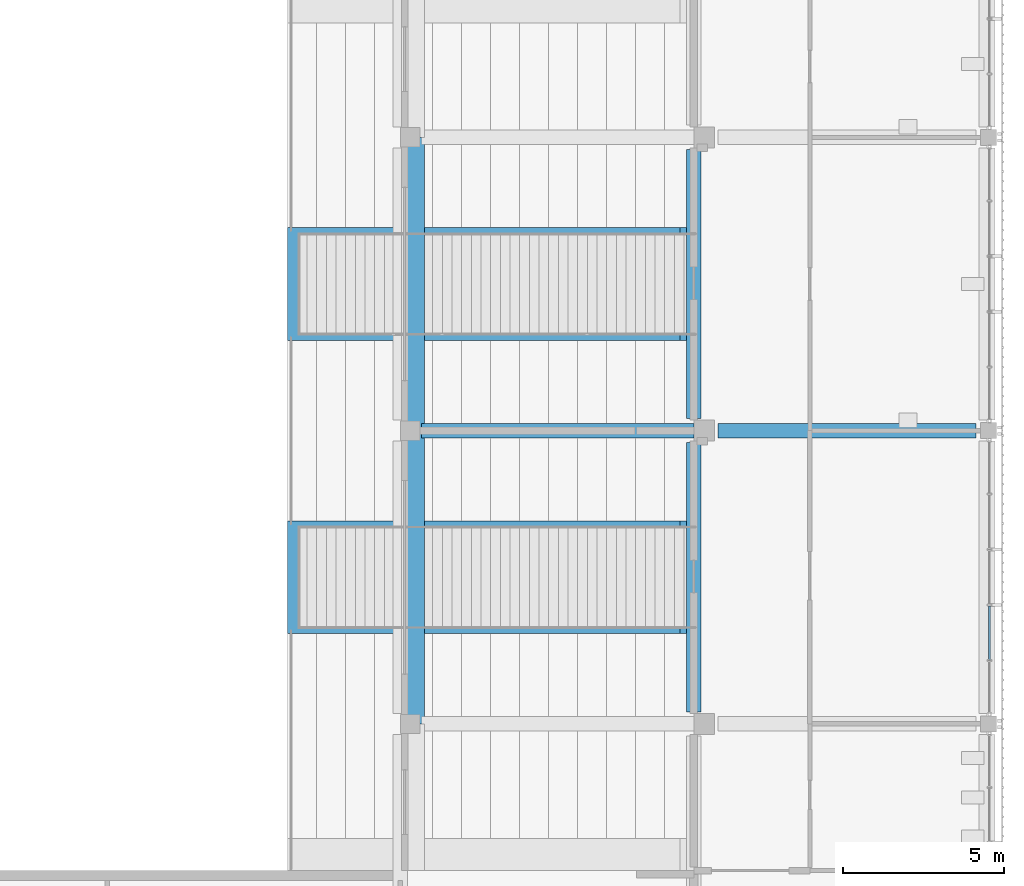
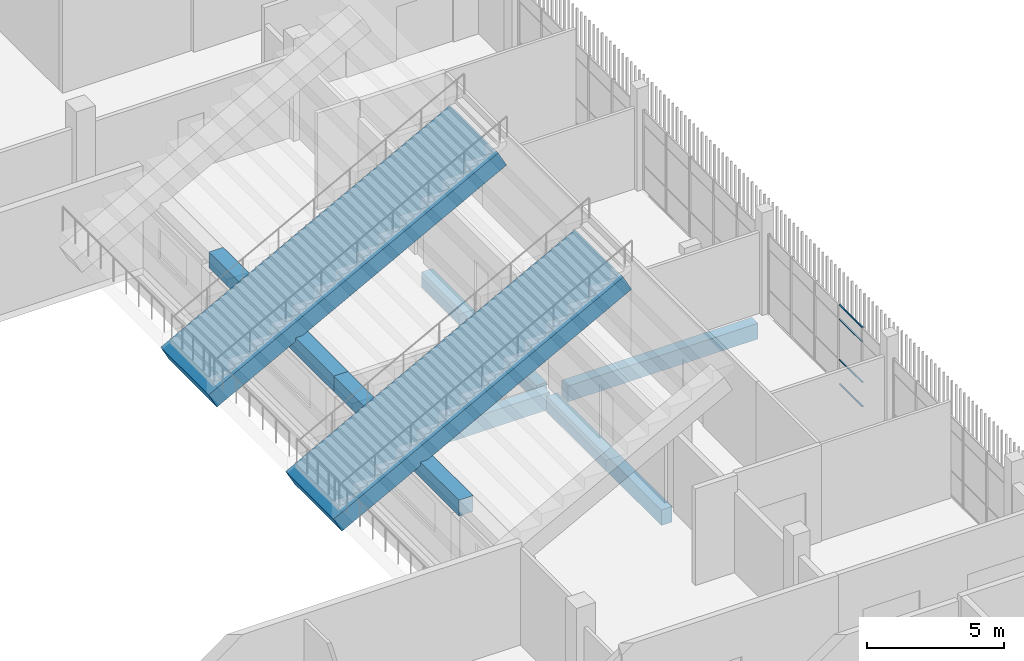
# One storey, part 57 of 139: 8 beams, 4 members, 1 element without a shape of its own.
"""IFC4 building model written with IfcOpenShell, lengths in metres."""

from ifc_helpers import new_model, si_unit, direction, frame, origin, origin_2d, place, context, subcontext, project, spatial, rectangle, hollow_rectangle, extrude, material, layer, layer_set, material_profile, profile_set, type_object, element, aggregate, save


model = new_model("IFC4")

# Units and contexts
model_context = context("Model", 3, precision=1e-05, world=origin(), true_north=direction((0.0, 1.0)))
body_context = subcontext(model_context, "Body", "Model", "MODEL_VIEW")
ifc_project = project(units=[si_unit("LENGTHUNIT", "METRE"), si_unit("AREAUNIT", "SQUARE_METRE"), si_unit("VOLUMEUNIT", "CUBIC_METRE"), si_unit("PLANEANGLEUNIT", "RADIAN"), si_unit("MASSUNIT", "GRAM", prefix="KILO")], contexts=[model_context])

# Site, building, storey
site_placement = place(None, origin())
site = spatial("IfcSite", under=ifc_project, at=site_placement, CompositionType="ELEMENT")
building_placement = place(site_placement, origin())
building = spatial("IfcBuilding", under=site, at=building_placement, Name="Shirokan Park Arena", CompositionType="ELEMENT")
storey_placement = place(building_placement, frame((0.0, 0.0, 15.469970703125)))
storey = spatial("IfcBuildingStorey", under=building, at=storey_placement, Name="L03", CompositionType="ELEMENT", Elevation=15.469970703125)

# Beams
ifc_material_1 = material(Name="Concrete C35", Category="concrete")
ifc_material_profile_1 = material_profile(ifc_material_1, rectangle(XDim=0.449951171875, YDim=0.699951171875, at=origin_2d()), Name="450x700")
ifc_profile_set_1 = profile_set([ifc_material_profile_1], Name="Concrete C35")
beam_type_1 = type_object("IfcBeamType", Name="RC girder 450x700", PredefinedType="BEAM", material=ifc_profile_set_1)
beam_1_placement = place(storey_placement, frame((137.25, 54.60009765625, -0.64990234375), z_axis=(1.0, 0.0, 0.0), x_axis=(0.0, 1.0, 0.0)))
element("IfcBeam", 1, at=beam_1_placement, inside=storey, type_object=beam_type_1, Name="Girder 16G-17G L03", PredefinedType="BEAM", context=body_context, shape_type="SweptSolid", body=[
    extrude(rectangle(XDim=0.449951171875, YDim=0.699951171875, at=origin_2d()), origin(), (0.0, 0.0, 1.0), 8.0),
])
for number, where, z_axis, x_axis, name in (
    (2, (136.5, 45.875, -0.64990234375), (0.0, 1.0, 0.0), (-1.0, 0.0, 0.0), "Girder 16F-16G L03"),
    (3, (136.5, 54.97509765625, -0.64990234375), (0.0, 1.0, 0.0), (-1.0, 0.0, 0.0), "Girder 16G-16H L03"),
):
    element("IfcBeam", number, at=place(storey_placement, frame(where, z_axis=z_axis, x_axis=x_axis)), inside=storey, type_object=beam_type_1, Name=name, PredefinedType="BEAM", context=body_context, shape_type="SweptSolid", body=[
        extrude(rectangle(XDim=0.449951171875, YDim=0.699951171875, at=origin_2d()), origin(), (0.0, 0.0, 1.0), 8.349853515625),
    ])
ifc_material_profile_2 = material_profile(ifc_material_1, rectangle(XDim=0.449951171875, YDim=0.75, at=origin_2d()), Name="450x750")
ifc_profile_set_2 = profile_set([ifc_material_profile_2], Name="Concrete C35")
beam_type_2 = type_object("IfcBeamType", Name="RC girder 450x750", PredefinedType="BEAM", material=ifc_profile_set_2)
beam_2_placement = place(storey_placement, frame((128.050048828125, 54.60009765625, -0.675048828125), z_axis=(1.0, 0.0, 0.0), x_axis=(0.0, 1.0, 0.0)))
element("IfcBeam", 4, at=beam_2_placement, inside=storey, type_object=beam_type_2, Name="Girder 15G-16G L03", PredefinedType="BEAM", context=body_context, shape_type="SweptSolid", body=[
    extrude(rectangle(XDim=0.449951171875, YDim=0.75, at=origin_2d()), origin(), (0.0, 0.0, 1.0), 8.449951171875),
])
ifc_material_profile_3 = material_profile(ifc_material_1, rectangle(XDim=3.5, YDim=0.75, at=origin_2d()), Name="3500x750")
ifc_profile_set_3 = profile_set([ifc_material_profile_3], Name="Concrete C35")
beam_type_3 = type_object("IfcBeamType", Name="RC raker 3500x750", PredefinedType="USERDEFINED", material=ifc_profile_set_3)
for number, where, z_axis, x_axis, name in (
    (5, (124.076416015625, 50.050048828125, 1.822509765625), (0.882357349738, 0.0, 0.470579969147), (0.0, 1.0, 0.0), "Raker upper E 1"),
    (6, (124.076416015625, 59.14990234375, 1.822509765625), (0.882357349738, 0.0, 0.470579969147), (0.0, 1.0, 0.0), "Raker upper E 2"),
):
    element("IfcBeam", number, at=place(storey_placement, frame(where, z_axis=z_axis, x_axis=x_axis)), inside=storey, type_object=beam_type_3, Name=name, ObjectType="RAKER BEAM", PredefinedType="USERDEFINED", context=body_context, shape_type="SweptSolid", body=[
        extrude(rectangle(XDim=3.5, YDim=0.75, at=origin_2d()), origin(), (0.0, 0.0, 1.0), 13.796630859375),
    ])
ifc_material_profile_4 = material_profile(ifc_material_1, rectangle(XDim=0.60009765625, YDim=0.699951171875, at=origin_2d()), Name="600x700")
ifc_profile_set_4 = profile_set([ifc_material_profile_4], Name="Concrete C35")
beam_type_4 = type_object("IfcBeamType", Name="RC stand girder 600x700", PredefinedType="BEAM", material=ifc_profile_set_4)
beam_3_placement = place(storey_placement, frame((127.85009765625, 45.5, 3.06005859375), z_axis=(0.0, 1.0, 0.0), x_axis=(-1.0, 0.0, 0.0)))
element("IfcBeam", 7, at=beam_3_placement, inside=storey, type_object=beam_type_4, Name="Stand girder E R3 2", PredefinedType="BEAM", context=body_context, shape_type="SweptSolid", body=[
    extrude(rectangle(XDim=0.60009765625, YDim=0.699951171875, at=origin_2d()), origin(), (0.0, 0.0, 1.0), 9.10009765625),
])
beam_4_placement = place(storey_placement, frame((127.85009765625, 54.60009765625, 3.06005859375), z_axis=(0.0, 1.0, 0.0), x_axis=(-1.0, 0.0, 0.0)))
element("IfcBeam", 8, at=beam_4_placement, inside=storey, type_object=beam_type_4, Name="Stand girder E R3 3", PredefinedType="BEAM", context=body_context, shape_type="SweptSolid", body=[
    extrude(rectangle(XDim=0.60009765625, YDim=0.699951171875, at=origin_2d()), origin(), (0.0, 0.0, 1.0), 9.099853515625),
])

# Curtain wall, members
ifc_material_2 = material(Name="Steel and glass curtain wall", Category="steel")
ifc_layer = layer(ifc_material_2, 0.14990234375)
ifc_layer_set = layer_set([ifc_layer], Name="Steel and glass curtain wall 150 mm")
curtain_wall_type = type_object("IfcCurtainWallType", Name="Curtain wall exposed bay 150", PredefinedType="NOTDEFINED", material=ifc_layer_set)
curtain_wall_placement = place(storey_placement, origin())
curtain_wall = element("IfcCurtainWall", 9, at=curtain_wall_placement, inside=storey, type_object=curtain_wall_type, Name="Curtain wall east bay 6 L03", PredefinedType="NOTDEFINED")
ifc_material_3 = material(Name="Steel S355", Category="steel")
ifc_material_profile_5 = material_profile(ifc_material_3, hollow_rectangle(XDim=0.06005859375, YDim=0.0400390625, WallThickness=0.00390625, at=origin_2d()), Name="RHS 60x40x4")
ifc_profile_set_5 = profile_set([ifc_material_profile_5], Name="Steel S355")
member_type = type_object("IfcMemberType", Name="Transom RHS 60x40x4", PredefinedType="MULLION", material=ifc_profile_set_5)
member_1_placement = place(storey_placement, frame((145.675048828125, 47.4951171875, 0.02001953125), z_axis=(0.0, 1.0, 0.0), x_axis=(-1.0, 0.0, 0.0)))
member_1 = element("IfcMember", 10, at=member_1_placement, type_object=member_type, Name="CW1 transom 2.1", PredefinedType="MULLION", context=body_context, shape_type="SweptSolid", body=[
    extrude(hollow_rectangle(XDim=0.06005859375, YDim=0.0400390625, WallThickness=0.00390625, at=origin_2d()), origin(), (0.0, 0.0, 1.0), 1.669921875),
])
member_2_placement = place(storey_placement, frame((145.675048828125, 47.4951171875, 1.10009765625), z_axis=(0.0, 1.0, 0.0), x_axis=(-1.0, 0.0, 0.0)))
member_2 = element("IfcMember", 11, at=member_2_placement, type_object=member_type, Name="CW1 transom 2.2", PredefinedType="MULLION", context=body_context, shape_type="SweptSolid", body=[
    extrude(hollow_rectangle(XDim=0.06005859375, YDim=0.0400390625, WallThickness=0.00390625, at=origin_2d()), origin(), (0.0, 0.0, 1.0), 1.669921875),
])
member_3_placement = place(storey_placement, frame((145.675048828125, 47.4951171875, 2.900146484375), z_axis=(0.0, 1.0, 0.0), x_axis=(-1.0, 0.0, 0.0)))
member_3 = element("IfcMember", 12, at=member_3_placement, type_object=member_type, Name="CW1 transom 2.3", PredefinedType="MULLION", context=body_context, shape_type="SweptSolid", body=[
    extrude(hollow_rectangle(XDim=0.06005859375, YDim=0.0400390625, WallThickness=0.00390625, at=origin_2d()), origin(), (0.0, 0.0, 1.0), 1.669921875),
])
member_4_placement = place(storey_placement, frame((145.675048828125, 47.4951171875, 3.530029296875), z_axis=(0.0, 1.0, 0.0), x_axis=(-1.0, 0.0, 0.0)))
member_4 = element("IfcMember", 13, at=member_4_placement, type_object=member_type, Name="CW1 transom 2.4", PredefinedType="MULLION", context=body_context, shape_type="SweptSolid", body=[
    extrude(hollow_rectangle(XDim=0.06005859375, YDim=0.0400390625, WallThickness=0.00390625, at=origin_2d()), origin(), (0.0, 0.0, 1.0), 1.669921875),
])
aggregate(curtain_wall, [member_1, member_2, member_3, member_4])

save(model, "model.ifc")
